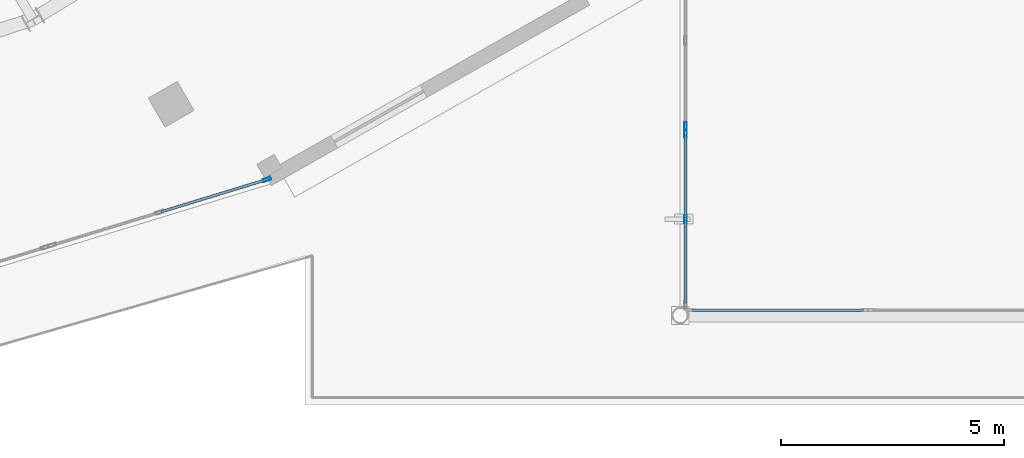
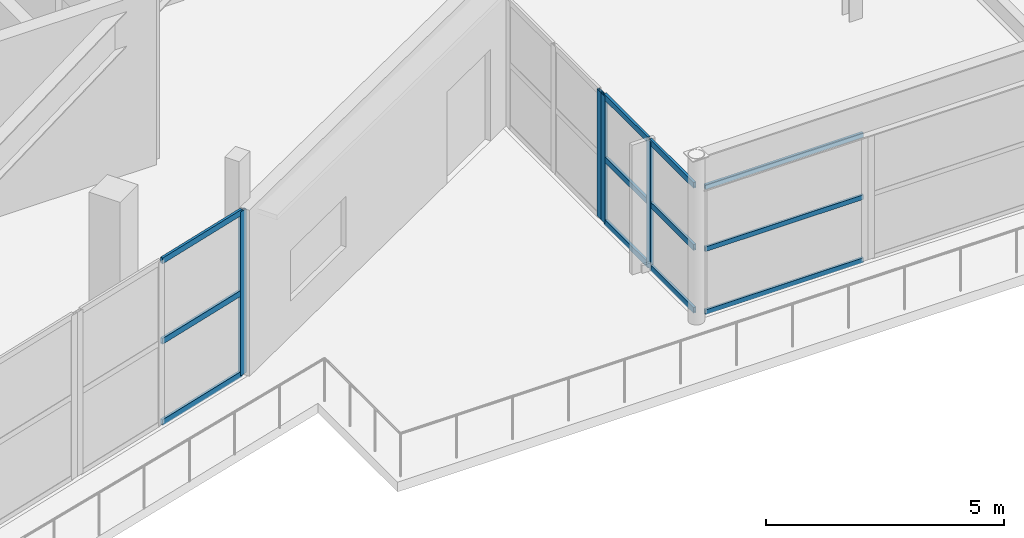
# One storey, part 58 of 123: 16 members, 4 elements without a shape of their own.
"""IFC4 building model written with IfcOpenShell, lengths in metres."""

from ifc_helpers import new_model, si_unit, direction, frame, origin, origin_2d, place, context, subcontext, project, spatial, hollow_rectangle, extrude, material, layer, layer_set, material_profile, profile_set, type_object, element, aggregate, save


model = new_model("IFC4")

# Units and contexts
model_context = context("Model", 3, precision=1e-05, world=origin(), true_north=direction((0.0, 1.0)))
body_context = subcontext(model_context, "Body", "Model", "MODEL_VIEW")
ifc_project = project(units=[si_unit("LENGTHUNIT", "METRE"), si_unit("AREAUNIT", "SQUARE_METRE"), si_unit("VOLUMEUNIT", "CUBIC_METRE"), si_unit("PLANEANGLEUNIT", "RADIAN"), si_unit("MASSUNIT", "GRAM", prefix="KILO")], contexts=[model_context])

# Site, building, storey
site_placement = place(None, origin())
site = spatial("IfcSite", under=ifc_project, at=site_placement, CompositionType="ELEMENT")
building_placement = place(site_placement, origin())
building = spatial("IfcBuilding", under=site, at=building_placement, Name="Kalgoora Escarpment Arena", CompositionType="ELEMENT")
storey_placement = place(building_placement, frame((0.0, 0.0, 9.89990234375)))
storey = spatial("IfcBuildingStorey", under=building, at=storey_placement, Name="L02", CompositionType="ELEMENT", Elevation=9.89990234375)

# Curtain wall, members
ifc_material_1 = material(Name=" Champagne anodised aluminium & double-glazed low-E", Category="aluminium")
ifc_layer_1 = layer(ifc_material_1, 0.157958984375)
ifc_layer_set_1 = layer_set([ifc_layer_1], Name="CW-UNIT-02")
curtain_wall_type_1 = type_object("IfcCurtainWallType", Name="CW-UNIT-02", PredefinedType="NOTDEFINED", material=ifc_layer_set_1)
curtain_wall_1_placement = place(storey_placement, origin())
curtain_wall_1 = element("IfcCurtainWall", 1, at=curtain_wall_1_placement, inside=storey, type_object=curtain_wall_type_1, Name="L02 unitised facade curtain wall 041", PredefinedType="NOTDEFINED")
ifc_material_2 = material(Name="Anodised aluminium 6063-T6", Category="aluminium")
ifc_material_profile_1 = material_profile(ifc_material_2, hollow_rectangle(XDim=0.06494140625, YDim=0.179931640625, WallThickness=0.00390625, at=origin_2d()))
ifc_profile_set_1 = profile_set([ifc_material_profile_1], Name="Anodised aluminium 6063-T6")
member_type_1 = type_object("IfcMemberType", Name="MEM-CW-MULL-180", PredefinedType="MULLION", material=ifc_profile_set_1)
member_1_placement = place(storey_placement, frame((142.919921875, 10.158935546875, 0.02001953125), z_axis=(0.0, 0.0, 1.0), x_axis=(-1.0, 0.0, 0.0)))
member_1 = element("IfcMember", 2, at=member_1_placement, type_object=member_type_1, Name="CW-02 mullion 2", PredefinedType="MULLION", context=body_context, shape_type="SweptSolid", body=[
    extrude(hollow_rectangle(XDim=0.06494140625, YDim=0.179931640625, WallThickness=0.00390625, at=origin_2d()), origin(), (0.0, 0.0, 1.0), 3.26513671875),
])
member_2_placement = place(storey_placement, frame((142.919921875, 12.07470703125, 0.02001953125), z_axis=(0.0, 0.0, 1.0), x_axis=(-1.0, 0.0, 0.0)))
member_2 = element("IfcMember", 3, at=member_2_placement, type_object=member_type_1, Name="CW-02 mullion 3", PredefinedType="MULLION", context=body_context, shape_type="SweptSolid", body=[
    extrude(hollow_rectangle(XDim=0.06494140625, YDim=0.179931640625, WallThickness=0.00390625, at=origin_2d()), origin(), (0.0, 0.0, 1.0), 3.26513671875),
])

# Curtain wall, member
ifc_material_3 = material(Name=" Champagne anodised aluminium & double-glazed low-E", Category="aluminium")
ifc_layer_2 = layer(ifc_material_3, 0.162109375)
ifc_layer_set_2 = layer_set([ifc_layer_2], Name="CW-UNIT-03")
curtain_wall_type_2 = type_object("IfcCurtainWallType", Name="CW-UNIT-03", PredefinedType="NOTDEFINED", material=ifc_layer_set_2)
curtain_wall_2_placement = place(storey_placement, origin())
curtain_wall_2 = element("IfcCurtainWall", 4, at=curtain_wall_2_placement, inside=storey, type_object=curtain_wall_type_2, Name="L02 unitised facade curtain wall 042", PredefinedType="NOTDEFINED")
member_3_placement = place(storey_placement, frame((142.919921875, 12.23974609375, 0.02001953125), z_axis=(0.0, 0.0, 1.0), x_axis=(-1.0, 0.0, 0.0)))
member_3 = element("IfcMember", 5, at=member_3_placement, type_object=member_type_1, Name="CW-03 mullion 1", PredefinedType="MULLION", context=body_context, shape_type="SweptSolid", body=[
    extrude(hollow_rectangle(XDim=0.06494140625, YDim=0.179931640625, WallThickness=0.00390625, at=origin_2d()), origin(), (0.0, 0.0, 1.0), 3.26513671875),
])
aggregate(curtain_wall_2, [member_3])

ifc_material_4 = material(Name=" Champagne anodised aluminium & double-glazed low-E", Category="aluminium")
ifc_layer_3 = layer(ifc_material_4, 0.166015625)
ifc_layer_set_3 = layer_set([ifc_layer_3], Name="CW-UNIT-04")
curtain_wall_type_3 = type_object("IfcCurtainWallType", Name="CW-UNIT-04", PredefinedType="NOTDEFINED", material=ifc_layer_set_3)
curtain_wall_3_placement = place(storey_placement, origin())
curtain_wall_3 = element("IfcCurtainWall", 6, at=curtain_wall_3_placement, inside=storey, type_object=curtain_wall_type_3, Name="L02 unitised facade curtain wall 043", PredefinedType="NOTDEFINED")
member_4_placement = place(storey_placement, frame((133.5478515625, 11.047607421875, 0.02001953125), z_axis=(0.0, 0.0, 1.0), x_axis=(0.29274500326, -0.956190547467, 0.0)))
member_4 = element("IfcMember", 7, at=member_4_placement, type_object=member_type_1, Name="CW-04 mullion 1", PredefinedType="MULLION", context=body_context, shape_type="SweptSolid", body=[
    extrude(hollow_rectangle(XDim=0.06494140625, YDim=0.179931640625, WallThickness=0.00390625, at=origin_2d()), origin(), (0.0, 0.0, 1.0), 4.205078125),
])

# Curtain wall, members
ifc_material_5 = material(Name=" Champagne anodised aluminium & double-glazed low-E", Category="aluminium")
ifc_layer_4 = layer(ifc_material_5, 0.162109375)
ifc_layer_set_4 = layer_set([ifc_layer_4], Name="CW-UNIT-18")
curtain_wall_type_4 = type_object("IfcCurtainWallType", Name="CW-UNIT-18", PredefinedType="NOTDEFINED", material=ifc_layer_set_4)
curtain_wall_4_placement = place(storey_placement, origin())
curtain_wall_4 = element("IfcCurtainWall", 8, at=curtain_wall_4_placement, inside=storey, type_object=curtain_wall_type_4, Name="L02 unitised facade curtain wall 097", PredefinedType="NOTDEFINED")
ifc_material_6 = material(Name="Anodised aluminium 6063-T6", Category="aluminium")
ifc_material_profile_2 = material_profile(ifc_material_6, hollow_rectangle(XDim=0.054931640625, YDim=0.1201171875, WallThickness=0.003173828125, at=origin_2d()))
ifc_profile_set_2 = profile_set([ifc_material_profile_2], Name="Anodised aluminium 6063-T6")
member_type_2 = type_object("IfcMemberType", Name="MEM-CW-TRAN-120", PredefinedType="USERDEFINED", material=ifc_profile_set_2)
member_5_placement = place(storey_placement, frame((146.90625, 8.1201171875, 0.047607421875), z_axis=(-1.0, 0.0, 0.0), x_axis=(0.0, -1.0, 0.0)))
member_5 = element("IfcMember", 9, at=member_5_placement, type_object=member_type_2, Name="CW-18 transom 1.1", ObjectType="TRANSOM", PredefinedType="USERDEFINED", context=body_context, shape_type="SweptSolid", body=[
    extrude(hollow_rectangle(XDim=0.054931640625, YDim=0.1201171875, WallThickness=0.003173828125, at=origin_2d()), origin(), (0.0, 0.0, 1.0), 3.83544921875),
])
member_6_placement = place(storey_placement, frame((146.90625, 8.1201171875, 1.66259765625), z_axis=(-1.0, 0.0, 0.0), x_axis=(0.0, -1.0, 0.0)))
member_6 = element("IfcMember", 10, at=member_6_placement, type_object=member_type_2, Name="CW-18 transom 1.2", ObjectType="TRANSOM", PredefinedType="USERDEFINED", context=body_context, shape_type="SweptSolid", body=[
    extrude(hollow_rectangle(XDim=0.054931640625, YDim=0.1201171875, WallThickness=0.003173828125, at=origin_2d()), origin(), (0.0, 0.0, 1.0), 3.83544921875),
])
member_7_placement = place(storey_placement, frame((146.90625, 8.1201171875, 3.257568359375), z_axis=(-1.0, 0.0, 0.0), x_axis=(0.0, -1.0, 0.0)))
member_7 = element("IfcMember", 11, at=member_7_placement, type_object=member_type_2, Name="CW-18 transom 1.3", ObjectType="TRANSOM", PredefinedType="USERDEFINED", context=body_context, shape_type="SweptSolid", body=[
    extrude(hollow_rectangle(XDim=0.054931640625, YDim=0.1201171875, WallThickness=0.003173828125, at=origin_2d()), origin(), (0.0, 0.0, 1.0), 3.83544921875),
])
aggregate(curtain_wall_4, [member_5, member_6, member_7])

# Member
ifc_material_7 = material(Name="Anodised aluminium 6063-T6", Category="aluminium")
ifc_material_profile_3 = material_profile(ifc_material_7, hollow_rectangle(XDim=0.06005859375, YDim=0.14990234375, WallThickness=0.00341796875, at=origin_2d()))
ifc_profile_set_3 = profile_set([ifc_material_profile_3], Name="Anodised aluminium 6063-T6")
member_type_3 = type_object("IfcMemberType", Name="MEM-CW-TRAN-150", PredefinedType="USERDEFINED", material=ifc_profile_set_3)
member_8_placement = place(storey_placement, frame((142.919921875, 8.27587890625, 0.050048828125), z_axis=(0.0, 1.0, 0.0), x_axis=(-1.0, 0.0, 0.0)))
member_8 = element("IfcMember", 12, at=member_8_placement, type_object=member_type_3, Name="CW-02 transom 1.1", ObjectType="TRANSOM", PredefinedType="USERDEFINED", context=body_context, shape_type="SweptSolid", body=[
    extrude(hollow_rectangle(XDim=0.06005859375, YDim=0.14990234375, WallThickness=0.00341796875, at=origin_2d()), origin(), (0.0, 0.0, 1.0), 1.8505859375),
])

member_9_placement = place(storey_placement, frame((142.919921875, 8.27587890625, 1.66259765625), z_axis=(0.0, 1.0, 0.0), x_axis=(-1.0, 0.0, 0.0)))
member_9 = element("IfcMember", 13, at=member_9_placement, type_object=member_type_3, Name="CW-02 transom 1.2", ObjectType="TRANSOM", PredefinedType="USERDEFINED", context=body_context, shape_type="SweptSolid", body=[
    extrude(hollow_rectangle(XDim=0.06005859375, YDim=0.14990234375, WallThickness=0.00341796875, at=origin_2d()), origin(), (0.0, 0.0, 1.0), 1.8505859375),
])

member_10_placement = place(storey_placement, frame((142.919921875, 8.27587890625, 3.255126953125), z_axis=(0.0, 1.0, 0.0), x_axis=(-1.0, 0.0, 0.0)))
member_10 = element("IfcMember", 14, at=member_10_placement, type_object=member_type_3, Name="CW-02 transom 1.3", ObjectType="TRANSOM", PredefinedType="USERDEFINED", context=body_context, shape_type="SweptSolid", body=[
    extrude(hollow_rectangle(XDim=0.06005859375, YDim=0.14990234375, WallThickness=0.00341796875, at=origin_2d()), origin(), (0.0, 0.0, 1.0), 1.8505859375),
])

member_11_placement = place(storey_placement, frame((142.919921875, 10.19140625, 0.050048828125), z_axis=(0.0, 1.0, 0.0), x_axis=(-1.0, 0.0, 0.0)))
member_11 = element("IfcMember", 15, at=member_11_placement, type_object=member_type_3, Name="CW-02 transom 2.1", ObjectType="TRANSOM", PredefinedType="USERDEFINED", context=body_context, shape_type="SweptSolid", body=[
    extrude(hollow_rectangle(XDim=0.06005859375, YDim=0.14990234375, WallThickness=0.00341796875, at=origin_2d()), origin(), (0.0, 0.0, 1.0), 1.850830078125),
])

member_12_placement = place(storey_placement, frame((142.919921875, 10.19140625, 1.66259765625), z_axis=(0.0, 1.0, 0.0), x_axis=(-1.0, 0.0, 0.0)))
member_12 = element("IfcMember", 16, at=member_12_placement, type_object=member_type_3, Name="CW-02 transom 2.2", ObjectType="TRANSOM", PredefinedType="USERDEFINED", context=body_context, shape_type="SweptSolid", body=[
    extrude(hollow_rectangle(XDim=0.06005859375, YDim=0.14990234375, WallThickness=0.00341796875, at=origin_2d()), origin(), (0.0, 0.0, 1.0), 1.850830078125),
])

member_13_placement = place(storey_placement, frame((142.919921875, 10.19140625, 3.255126953125), z_axis=(0.0, 1.0, 0.0), x_axis=(-1.0, 0.0, 0.0)))
member_13 = element("IfcMember", 17, at=member_13_placement, type_object=member_type_3, Name="CW-02 transom 2.3", ObjectType="TRANSOM", PredefinedType="USERDEFINED", context=body_context, shape_type="SweptSolid", body=[
    extrude(hollow_rectangle(XDim=0.06005859375, YDim=0.14990234375, WallThickness=0.00341796875, at=origin_2d()), origin(), (0.0, 0.0, 1.0), 1.850830078125),
])

aggregate(curtain_wall_1, [member_1, member_2, member_8, member_9, member_10, member_11, member_12, member_13])

member_14_placement = place(storey_placement, frame((133.516845703125, 11.0380859375, 0.050048828125), z_axis=(-0.956189151682, -0.292749562263, 0.0), x_axis=(0.292749562263, -0.956189151682, 0.0)))
member_14 = element("IfcMember", 18, at=member_14_placement, type_object=member_type_3, Name="CW-04 transom 1.1", ObjectType="TRANSOM", PredefinedType="USERDEFINED", context=body_context, shape_type="SweptSolid", body=[
    extrude(hollow_rectangle(XDim=0.06005859375, YDim=0.14990234375, WallThickness=0.00341796875, at=origin_2d()), origin(), (0.0, 0.0, 1.0), 2.45263671875),
])

member_15_placement = place(storey_placement, frame((133.516845703125, 11.0380859375, 2.132568359375), z_axis=(-0.956189151682, -0.292749562263, 0.0), x_axis=(0.292749562263, -0.956189151682, 0.0)))
member_15 = element("IfcMember", 19, at=member_15_placement, type_object=member_type_3, Name="CW-04 transom 1.2", ObjectType="TRANSOM", PredefinedType="USERDEFINED", context=body_context, shape_type="SweptSolid", body=[
    extrude(hollow_rectangle(XDim=0.06005859375, YDim=0.14990234375, WallThickness=0.00341796875, at=origin_2d()), origin(), (0.0, 0.0, 1.0), 2.45263671875),
])

member_16_placement = place(storey_placement, frame((133.516845703125, 11.0380859375, 4.195068359375), z_axis=(-0.956189151682, -0.292749562263, 0.0), x_axis=(0.292749562263, -0.956189151682, 0.0)))
member_16 = element("IfcMember", 20, at=member_16_placement, type_object=member_type_3, Name="CW-04 transom 1.3", ObjectType="TRANSOM", PredefinedType="USERDEFINED", context=body_context, shape_type="SweptSolid", body=[
    extrude(hollow_rectangle(XDim=0.06005859375, YDim=0.14990234375, WallThickness=0.00341796875, at=origin_2d()), origin(), (0.0, 0.0, 1.0), 2.45263671875),
])

aggregate(curtain_wall_3, [member_4, member_14, member_15, member_16])

save(model, "model.ifc")
